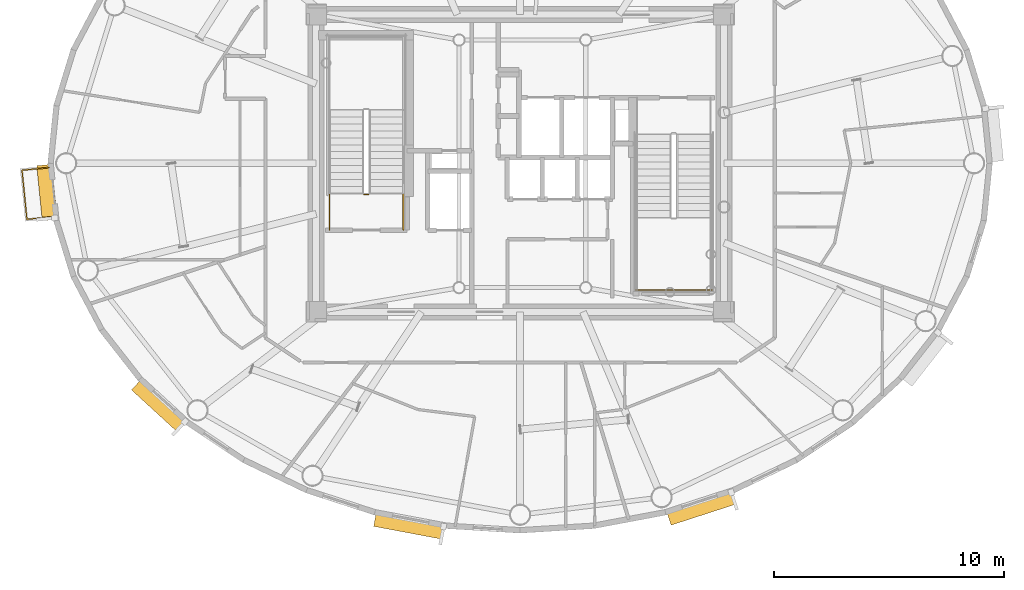
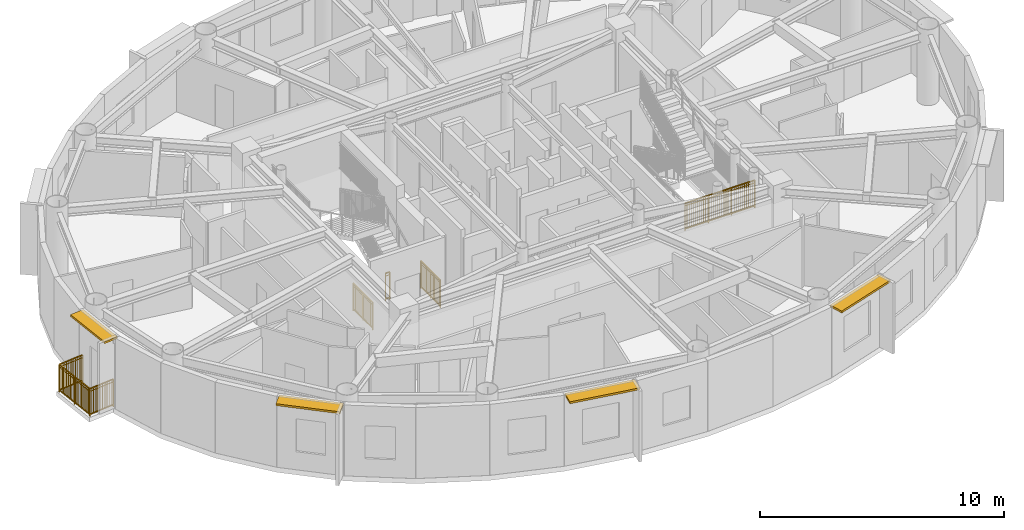
# One storey, part 11 of 17: 5 railings, 4 shading devices.
"""IFC4 building model written with IfcOpenShell, lengths in metres."""

from ifc_helpers import new_model, si_unit, direction, frame, origin, origin_2d, place, context, subcontext, project, spatial, rectangle, extrude, source, transform, mapped, material, layer, layer_set, type_object, element, save


model = new_model("IFC4")

# Units and contexts
model_context = context("Model", 3, precision=1e-05, world=origin(), true_north=direction((0.0, 1.0)))
body_context = subcontext(model_context, "Body", "Model", "MODEL_VIEW")
ifc_project = project(units=[si_unit("LENGTHUNIT", "METRE"), si_unit("AREAUNIT", "SQUARE_METRE"), si_unit("VOLUMEUNIT", "CUBIC_METRE"), si_unit("PLANEANGLEUNIT", "RADIAN"), si_unit("MASSUNIT", "GRAM", prefix="KILO")], contexts=[model_context])

# Site, building, storey
site_placement = place(None, origin())
site = spatial("IfcSite", under=ifc_project, at=site_placement, CompositionType="ELEMENT")
building_placement = place(site_placement, origin())
building = spatial("IfcBuilding", under=site, at=building_placement, Name="Linh Dai School and Residence Tower", CompositionType="ELEMENT")
storey_placement = place(building_placement, frame((0.0, 0.0, 327.800048828125)))
storey = spatial("IfcBuildingStorey", under=building, at=storey_placement, Name="L81", CompositionType="ELEMENT", Elevation=327.800048828125)

# Shading devices
ifc_material_1 = material(Name="Terracotta Ceramic Sunshade", Category="masonry")
ifc_layer = layer(ifc_material_1, 0.10009765625)
ifc_layer_set = layer_set([ifc_layer], Name="Terracotta Ceramic Sunshade")
shading_device_type = type_object("IfcShadingDeviceType", Name="SHD-TC-650", PredefinedType="USERDEFINED", material=ifc_layer_set)
shared_shape_1 = source(origin(), body_context, "Body", "SweptSolid", [
    extrude(rectangle(XDim=2.3994140625, YDim=0.64990234375, at=origin_2d()), origin(), (0.0, 0.0, 1.0), 0.10009765625),
])
shading_device_1_placement = place(storey_placement, frame((15.46630859375, 25.72802734375, 3.429931640625), z_axis=(0.0, 0.0, 1.0), x_axis=(-0.099991763355, 0.994988264886, 0.0)))
element("IfcShadingDevice", 1, at=shading_device_1_placement, inside=storey, type_object=shading_device_type, Name="L81 Terracotta Horizontal Sunshade Band 21", ObjectType="SUNSHADE", PredefinedType="USERDEFINED", context=body_context, shape_type="MappedRepresentation", body=[
    mapped(shared_shape_1, transform((0.0, 0.0, 0.0), x_axis=(1.0, 0.0, 0.0), y_axis=(0.0, 1.0, 0.0), z_axis=(0.0, 0.0, 1.0), scale=1.0)),
])
shared_shape_2 = source(origin(), body_context, "Body", "SweptSolid", [
    extrude(rectangle(XDim=2.7021484375, YDim=0.64990234375, at=origin_2d()), origin(), (0.0, 0.0, 1.0), 0.10009765625),
])
shading_device_2_placement = place(storey_placement, frame((20.3515625, 16.48681640625, 3.429931640625), z_axis=(0.0, 0.0, 1.0), x_axis=(-0.73704750866, 0.675840935412, 0.0)))
element("IfcShadingDevice", 2, at=shading_device_2_placement, inside=storey, type_object=shading_device_type, Name="L81 Terracotta Horizontal Sunshade Band 25", ObjectType="SUNSHADE", PredefinedType="USERDEFINED", context=body_context, shape_type="MappedRepresentation", body=[
    mapped(shared_shape_2, transform((0.0, 0.0, 0.0), x_axis=(1.0, 0.0, 0.0), y_axis=(0.0, 1.0, 0.0), z_axis=(0.0, 0.0, 1.0), scale=1.0)),
])
shared_shape_3 = source(origin(), body_context, "Body", "SweptSolid", [
    extrude(rectangle(XDim=3.040283203125, YDim=0.64990234375, at=origin_2d()), origin(), (0.0, 0.0, 1.0), 0.10009765625),
])
shading_device_3_placement = place(storey_placement, frame((31.199462890625, 11.279296875, 3.429931640625), z_axis=(0.0, 0.0, 1.0), x_axis=(-0.982779051851, 0.184784564405, 0.0)))
element("IfcShadingDevice", 3, at=shading_device_3_placement, inside=storey, type_object=shading_device_type, Name="L81 Terracotta Horizontal Sunshade Band 29", ObjectType="SUNSHADE", PredefinedType="USERDEFINED", context=body_context, shape_type="MappedRepresentation", body=[
    mapped(shared_shape_3, transform((0.0, 0.0, 0.0), x_axis=(1.0, 0.0, 0.0), y_axis=(0.0, 1.0, 0.0), z_axis=(0.0, 0.0, 1.0), scale=1.0)),
])
shared_shape_4 = source(origin(), body_context, "Body", "SweptSolid", [
    extrude(rectangle(XDim=2.98388671875, YDim=0.64990234375, at=origin_2d()), origin(), (0.0, 0.0, 1.0), 0.10009765625),
])
shading_device_4_placement = place(storey_placement, frame((43.8701171875, 12.060302734375, 3.429931640625), z_axis=(0.0, 0.0, 1.0), x_axis=(-0.951203168298, -0.30856528097, 0.0)))
element("IfcShadingDevice", 4, at=shading_device_4_placement, inside=storey, type_object=shading_device_type, Name="L81 Terracotta Horizontal Sunshade Band 33", ObjectType="SUNSHADE", PredefinedType="USERDEFINED", context=body_context, shape_type="MappedRepresentation", body=[
    mapped(shared_shape_4, transform((0.0, 0.0, 0.0), x_axis=(1.0, 0.0, 0.0), y_axis=(0.0, 1.0, 0.0), z_axis=(0.0, 0.0, 1.0), scale=1.0)),
])

# Railings
ifc_material_2 = material(Name="Structural Steel S355JR", Category="steel")
railing_type_1 = type_object("IfcRailingType", Name="RL-BAL-1400", PredefinedType="BALUSTRADE", material=ifc_material_2)
shared_shape_5 = source(origin(), body_context, "Body", "SweptSolid", [
    extrude(rectangle(XDim=0.048095703125, YDim=0.048095703125, at=origin_2d()), frame((0.0, 0.0, 1.3759765625), z_axis=(-0.994996143538, -0.099913334164, 0.0), x_axis=(0.099913334164, -0.994996143538, 0.0)), (0.0, 0.0, 1.0), 1.18017578125),
    extrude(rectangle(XDim=0.048095703125, YDim=0.048095703125, at=origin_2d()), frame((0.0, 0.0, 0.10009765625), z_axis=(-0.994996143538, -0.099913334164, 0.0), x_axis=(0.099913334164, -0.994996143538, 0.0)), (0.0, 0.0, 1.0), 1.18017578125),
    extrude(rectangle(XDim=0.030029296875, YDim=0.030029296875, at=origin_2d()), frame((0.0, 0.0, 1.239990234375), z_axis=(-0.994996143538, -0.099913334164, 0.0), x_axis=(0.099913334164, -0.994996143538, 0.0)), (0.0, 0.0, 1.0), 1.18017578125),
    extrude(rectangle(XDim=0.02001953125, YDim=0.02001953125, at=origin_2d()), frame((-0.09033203125, -0.009033203125, 0.10009765625)), (0.0, 0.0, 1.0), 1.251708984375),
    extrude(rectangle(XDim=0.02001953125, YDim=0.02001953125, at=origin_2d()), frame((-0.1806640625, -0.01806640625, 0.10009765625)), (0.0, 0.0, 1.0), 1.251708984375),
    extrude(rectangle(XDim=0.02001953125, YDim=0.02001953125, at=origin_2d()), frame((-0.27099609375, -0.027099609375, 0.10009765625)), (0.0, 0.0, 1.0), 1.251708984375),
    extrude(rectangle(XDim=0.02001953125, YDim=0.02001953125, at=origin_2d()), frame((-0.361328125, -0.036376953125, 0.10009765625)), (0.0, 0.0, 1.0), 1.251708984375),
    extrude(rectangle(XDim=0.02001953125, YDim=0.02001953125, at=origin_2d()), frame((-0.45166015625, -0.04541015625, 0.10009765625)), (0.0, 0.0, 1.0), 1.251708984375),
    extrude(rectangle(XDim=0.02001953125, YDim=0.02001953125, at=origin_2d()), frame((-0.5419921875, -0.054443359375, 0.10009765625)), (0.0, 0.0, 1.0), 1.251708984375),
    extrude(rectangle(XDim=0.02001953125, YDim=0.02001953125, at=origin_2d()), frame((-0.63232421875, -0.0634765625, 0.10009765625)), (0.0, 0.0, 1.0), 1.251708984375),
    extrude(rectangle(XDim=0.02001953125, YDim=0.02001953125, at=origin_2d()), frame((-0.72265625, -0.072509765625, 0.10009765625)), (0.0, 0.0, 1.0), 1.251708984375),
    extrude(rectangle(XDim=0.02001953125, YDim=0.02001953125, at=origin_2d()), frame((-0.81298828125, -0.08154296875, 0.10009765625)), (0.0, 0.0, 1.0), 1.251708984375),
    extrude(rectangle(XDim=0.02001953125, YDim=0.02001953125, at=origin_2d()), frame((-0.9033203125, -0.0908203125, 0.10009765625)), (0.0, 0.0, 1.0), 1.251708984375),
    extrude(rectangle(XDim=0.02001953125, YDim=0.02001953125, at=origin_2d()), frame((-0.99365234375, -0.099853515625, 0.10009765625)), (0.0, 0.0, 1.0), 1.251708984375),
    extrude(rectangle(XDim=0.02001953125, YDim=0.02001953125, at=origin_2d()), frame((-1.083984375, -0.10888671875, 0.10009765625)), (0.0, 0.0, 1.0), 1.251708984375),
    extrude(rectangle(XDim=0.048095703125, YDim=0.048095703125, at=origin_2d()), frame((-1.17431640625, -0.117919921875, 1.3759765625), z_axis=(-0.099978309742, 0.994989616821, 0.0), x_axis=(-0.994989616821, -0.099978309742, 0.0)), (0.0, 0.0, 1.0), 2.13916015625),
    extrude(rectangle(XDim=0.048095703125, YDim=0.048095703125, at=origin_2d()), frame((-1.17431640625, -0.117919921875, 0.10009765625), z_axis=(-0.099978309742, 0.994989616821, 0.0), x_axis=(-0.994989616821, -0.099978309742, 0.0)), (0.0, 0.0, 1.0), 2.13916015625),
    extrude(rectangle(XDim=0.030029296875, YDim=0.030029296875, at=origin_2d()), frame((-1.17431640625, -0.117919921875, 1.239990234375), z_axis=(-0.099978309742, 0.994989616821, 0.0), x_axis=(-0.994989616821, -0.099978309742, 0.0)), (0.0, 0.0, 1.0), 2.13916015625),
    extrude(rectangle(XDim=0.02001953125, YDim=0.02001953125, at=origin_2d()), frame((-1.18408203125, -0.021240234375, 0.10009765625)), (0.0, 0.0, 1.0), 1.251708984375),
    extrude(rectangle(XDim=0.02001953125, YDim=0.02001953125, at=origin_2d()), frame((-1.19384765625, 0.07568359375, 0.10009765625)), (0.0, 0.0, 1.0), 1.251708984375),
    extrude(rectangle(XDim=0.02001953125, YDim=0.02001953125, at=origin_2d()), frame((-1.203369140625, 0.17236328125, 0.10009765625)), (0.0, 0.0, 1.0), 1.251708984375),
    extrude(rectangle(XDim=0.02001953125, YDim=0.02001953125, at=origin_2d()), frame((-1.213134765625, 0.26904296875, 0.10009765625)), (0.0, 0.0, 1.0), 1.251708984375),
    extrude(rectangle(XDim=0.02001953125, YDim=0.02001953125, at=origin_2d()), frame((-1.222900390625, 0.36572265625, 0.10009765625)), (0.0, 0.0, 1.0), 1.251708984375),
    extrude(rectangle(XDim=0.02001953125, YDim=0.02001953125, at=origin_2d()), frame((-1.232666015625, 0.462646484375, 0.10009765625)), (0.0, 0.0, 1.0), 1.251708984375),
    extrude(rectangle(XDim=0.02001953125, YDim=0.02001953125, at=origin_2d()), frame((-1.242431640625, 0.559326171875, 0.10009765625)), (0.0, 0.0, 1.0), 1.251708984375),
    extrude(rectangle(XDim=0.02001953125, YDim=0.02001953125, at=origin_2d()), frame((-1.252197265625, 0.656005859375, 0.10009765625)), (0.0, 0.0, 1.0), 1.251708984375),
    extrude(rectangle(XDim=0.02001953125, YDim=0.02001953125, at=origin_2d()), frame((-1.26171875, 0.752685546875, 0.10009765625)), (0.0, 0.0, 1.0), 1.251708984375),
    extrude(rectangle(XDim=0.02001953125, YDim=0.02001953125, at=origin_2d()), frame((-1.271484375, 0.849609375, 0.10009765625)), (0.0, 0.0, 1.0), 1.251708984375),
    extrude(rectangle(XDim=0.02001953125, YDim=0.02001953125, at=origin_2d()), frame((-1.291015625, 1.04296875, 0.10009765625)), (0.0, 0.0, 1.0), 1.251708984375),
    extrude(rectangle(XDim=0.02001953125, YDim=0.02001953125, at=origin_2d()), frame((-1.30078125, 1.139892578125, 0.10009765625)), (0.0, 0.0, 1.0), 1.251708984375),
    extrude(rectangle(XDim=0.02001953125, YDim=0.02001953125, at=origin_2d()), frame((-1.310302734375, 1.236572265625, 0.10009765625)), (0.0, 0.0, 1.0), 1.251708984375),
    extrude(rectangle(XDim=0.02001953125, YDim=0.02001953125, at=origin_2d()), frame((-1.320068359375, 1.333251953125, 0.10009765625)), (0.0, 0.0, 1.0), 1.251708984375),
    extrude(rectangle(XDim=0.02001953125, YDim=0.02001953125, at=origin_2d()), frame((-1.329833984375, 1.429931640625, 0.10009765625)), (0.0, 0.0, 1.0), 1.251708984375),
    extrude(rectangle(XDim=0.02001953125, YDim=0.02001953125, at=origin_2d()), frame((-1.339599609375, 1.52685546875, 0.10009765625)), (0.0, 0.0, 1.0), 1.251708984375),
    extrude(rectangle(XDim=0.02001953125, YDim=0.02001953125, at=origin_2d()), frame((-1.349365234375, 1.62353515625, 0.10009765625)), (0.0, 0.0, 1.0), 1.251708984375),
    extrude(rectangle(XDim=0.02001953125, YDim=0.02001953125, at=origin_2d()), frame((-1.359130859375, 1.72021484375, 0.10009765625)), (0.0, 0.0, 1.0), 1.251708984375),
    extrude(rectangle(XDim=0.02001953125, YDim=0.02001953125, at=origin_2d()), frame((-1.36865234375, 1.81689453125, 0.10009765625)), (0.0, 0.0, 1.0), 1.251708984375),
    extrude(rectangle(XDim=0.02001953125, YDim=0.02001953125, at=origin_2d()), frame((-1.37841796875, 1.913818359375, 0.10009765625)), (0.0, 0.0, 1.0), 1.251708984375),
    extrude(rectangle(XDim=0.048095703125, YDim=0.048095703125, at=origin_2d()), frame((-1.38818359375, 2.010498046875, 1.3759765625), z_axis=(0.99497348416, 0.100138732862, 0.0), x_axis=(-0.100138732862, 0.99497348416, 0.0)), (0.0, 0.0, 1.0), 1.179931640625),
    extrude(rectangle(XDim=0.048095703125, YDim=0.048095703125, at=origin_2d()), frame((-1.38818359375, 2.010498046875, 0.10009765625), z_axis=(0.99497348416, 0.100138732862, 0.0), x_axis=(-0.100138732862, 0.99497348416, 0.0)), (0.0, 0.0, 1.0), 1.179931640625),
    extrude(rectangle(XDim=0.030029296875, YDim=0.030029296875, at=origin_2d()), frame((-1.38818359375, 2.010498046875, 1.239990234375), z_axis=(0.99497348416, 0.100138732862, 0.0), x_axis=(-0.100138732862, 0.99497348416, 0.0)), (0.0, 0.0, 1.0), 1.179931640625),
    extrude(rectangle(XDim=0.02001953125, YDim=0.02001953125, at=origin_2d()), frame((-1.2978515625, 2.01953125, 0.10009765625)), (0.0, 0.0, 1.0), 1.251708984375),
    extrude(rectangle(XDim=0.02001953125, YDim=0.02001953125, at=origin_2d()), frame((-1.20751953125, 2.028564453125, 0.10009765625)), (0.0, 0.0, 1.0), 1.251708984375),
    extrude(rectangle(XDim=0.02001953125, YDim=0.02001953125, at=origin_2d()), frame((-1.1171875, 2.037841796875, 0.10009765625)), (0.0, 0.0, 1.0), 1.251708984375),
    extrude(rectangle(XDim=0.02001953125, YDim=0.02001953125, at=origin_2d()), frame((-1.02685546875, 2.046875, 0.10009765625)), (0.0, 0.0, 1.0), 1.251708984375),
    extrude(rectangle(XDim=0.02001953125, YDim=0.02001953125, at=origin_2d()), frame((-0.9365234375, 2.055908203125, 0.10009765625)), (0.0, 0.0, 1.0), 1.251708984375),
    extrude(rectangle(XDim=0.02001953125, YDim=0.02001953125, at=origin_2d()), frame((-0.84619140625, 2.06494140625, 0.10009765625)), (0.0, 0.0, 1.0), 1.251708984375),
    extrude(rectangle(XDim=0.02001953125, YDim=0.02001953125, at=origin_2d()), frame((-0.756103515625, 2.07421875, 0.10009765625)), (0.0, 0.0, 1.0), 1.251708984375),
    extrude(rectangle(XDim=0.02001953125, YDim=0.02001953125, at=origin_2d()), frame((-0.665771484375, 2.083251953125, 0.10009765625)), (0.0, 0.0, 1.0), 1.251708984375),
    extrude(rectangle(XDim=0.02001953125, YDim=0.02001953125, at=origin_2d()), frame((-0.575439453125, 2.09228515625, 0.10009765625)), (0.0, 0.0, 1.0), 1.251708984375),
    extrude(rectangle(XDim=0.02001953125, YDim=0.02001953125, at=origin_2d()), frame((-0.485107421875, 2.101318359375, 0.10009765625)), (0.0, 0.0, 1.0), 1.251708984375),
    extrude(rectangle(XDim=0.02001953125, YDim=0.02001953125, at=origin_2d()), frame((-0.394775390625, 2.110595703125, 0.10009765625)), (0.0, 0.0, 1.0), 1.251708984375),
    extrude(rectangle(XDim=0.02001953125, YDim=0.02001953125, at=origin_2d()), frame((-0.304443359375, 2.11962890625, 0.10009765625)), (0.0, 0.0, 1.0), 1.251708984375),
    extrude(rectangle(XDim=0.0419921875, YDim=0.0419921875, at=origin_2d()), origin(), (0.0, 0.0, 1.0), 1.3759765625),
    extrude(rectangle(XDim=0.0419921875, YDim=0.0419921875, at=origin_2d()), frame((-1.17431640625, -0.117919921875, 0.0)), (0.0, 0.0, 1.0), 1.3759765625),
    extrude(rectangle(XDim=0.0419921875, YDim=0.0419921875, at=origin_2d()), frame((-1.28125, 0.9462890625, 0.0)), (0.0, 0.0, 1.0), 1.3759765625),
    extrude(rectangle(XDim=0.0419921875, YDim=0.0419921875, at=origin_2d()), frame((-1.38818359375, 2.010498046875, 0.0)), (0.0, 0.0, 1.0), 1.3759765625),
    extrude(rectangle(XDim=0.0419921875, YDim=0.0419921875, at=origin_2d()), frame((-0.214111328125, 2.128662109375, 0.0)), (0.0, 0.0, 1.0), 1.3759765625),
])
railing_1_placement = place(storey_placement, frame((15.7724609375, 24.683837890625, 0.0)))
element("IfcRailing", 5, at=railing_1_placement, inside=storey, type_object=railing_type_1, Name="L81 Balcony Safety Balustrade 21", PredefinedType="BALUSTRADE", context=body_context, shape_type="MappedRepresentation", body=[
    mapped(shared_shape_5, transform((0.0, 0.0, 0.0), x_axis=(1.0, 0.0, 0.0), y_axis=(0.0, 1.0, 0.0), z_axis=(0.0, 0.0, 1.0), scale=1.0)),
])
railing_type_2 = type_object("IfcRailingType", Name="RL-ST-GUARD-1400", PredefinedType="GUARDRAIL", material=ifc_material_2)
shared_shape_6 = source(origin(), body_context, "Body", "SweptSolid", [
    extrude(rectangle(XDim=0.048095703125, YDim=0.048095703125, at=origin_2d()), frame((0.0, 0.0, 1.3759765625), z_axis=(-1.0, 0.0, 0.0), x_axis=(0.0, -1.0, 0.0)), (0.0, 0.0, 1.0), 0.199951171875),
    extrude(rectangle(XDim=0.048095703125, YDim=0.048095703125, at=origin_2d()), frame((0.0, 0.0, 0.10009765625), z_axis=(-1.0, 0.0, 0.0), x_axis=(0.0, -1.0, 0.0)), (0.0, 0.0, 1.0), 0.199951171875),
    extrude(rectangle(XDim=0.030029296875, YDim=0.030029296875, at=origin_2d()), frame((0.0, 0.0, 1.239990234375), z_axis=(-1.0, 0.0, 0.0), x_axis=(0.0, -1.0, 0.0)), (0.0, 0.0, 1.0), 0.199951171875),
    extrude(rectangle(XDim=0.0419921875, YDim=0.0419921875, at=origin_2d()), origin(), (0.0, 0.0, 1.0), 1.3759765625),
    extrude(rectangle(XDim=0.0419921875, YDim=0.0419921875, at=origin_2d()), frame((-0.199951171875, 0.0, 0.0)), (0.0, 0.0, 1.0), 1.3759765625),
])
railing_2_placement = place(storey_placement, frame((29.429931640625, 25.64990234375, 0.0)))
element("IfcRailing", 6, at=railing_2_placement, inside=storey, type_object=railing_type_2, Name="L81 ST1 stair guard 7", PredefinedType="GUARDRAIL", context=body_context, shape_type="MappedRepresentation", body=[
    mapped(shared_shape_6, transform((0.0, 0.0, 0.0), x_axis=(1.0, 0.0, 0.0), y_axis=(0.0, 1.0, 0.0), z_axis=(0.0, 0.0, 1.0), scale=1.0)),
])
shared_shape_7 = source(origin(), body_context, "Body", "SweptSolid", [
    extrude(rectangle(XDim=0.048095703125, YDim=0.048095703125, at=origin_2d()), frame((0.0, 0.0, 1.3759765625), z_axis=(0.0, 1.0, 0.0), x_axis=(-1.0, 0.0, 0.0)), (0.0, 0.0, 1.0), 1.599853515625),
    extrude(rectangle(XDim=0.048095703125, YDim=0.048095703125, at=origin_2d()), frame((0.0, 0.0, 0.10009765625), z_axis=(0.0, 1.0, 0.0), x_axis=(-1.0, 0.0, 0.0)), (0.0, 0.0, 1.0), 1.599853515625),
    extrude(rectangle(XDim=0.030029296875, YDim=0.030029296875, at=origin_2d()), frame((0.0, 0.0, 1.239990234375), z_axis=(0.0, 1.0, 0.0), x_axis=(-1.0, 0.0, 0.0)), (0.0, 0.0, 1.0), 1.599853515625),
    extrude(rectangle(XDim=0.02001953125, YDim=0.02001953125, at=origin_2d()), frame((0.0, 0.093994140625, 0.10009765625)), (0.0, 0.0, 1.0), 1.251708984375),
    extrude(rectangle(XDim=0.02001953125, YDim=0.02001953125, at=origin_2d()), frame((0.0, 0.188232421875, 0.10009765625)), (0.0, 0.0, 1.0), 1.251708984375),
    extrude(rectangle(XDim=0.02001953125, YDim=0.02001953125, at=origin_2d()), frame((0.0, 0.2822265625, 0.10009765625)), (0.0, 0.0, 1.0), 1.251708984375),
    extrude(rectangle(XDim=0.02001953125, YDim=0.02001953125, at=origin_2d()), frame((0.0, 0.37646484375, 0.10009765625)), (0.0, 0.0, 1.0), 1.251708984375),
    extrude(rectangle(XDim=0.02001953125, YDim=0.02001953125, at=origin_2d()), frame((0.0, 0.470458984375, 0.10009765625)), (0.0, 0.0, 1.0), 1.251708984375),
    extrude(rectangle(XDim=0.02001953125, YDim=0.02001953125, at=origin_2d()), frame((0.0, 0.564697265625, 0.10009765625)), (0.0, 0.0, 1.0), 1.251708984375),
    extrude(rectangle(XDim=0.02001953125, YDim=0.02001953125, at=origin_2d()), frame((0.0, 0.65869140625, 0.10009765625)), (0.0, 0.0, 1.0), 1.251708984375),
    extrude(rectangle(XDim=0.02001953125, YDim=0.02001953125, at=origin_2d()), frame((0.0, 0.7529296875, 0.10009765625)), (0.0, 0.0, 1.0), 1.251708984375),
    extrude(rectangle(XDim=0.02001953125, YDim=0.02001953125, at=origin_2d()), frame((0.0, 0.846923828125, 0.10009765625)), (0.0, 0.0, 1.0), 1.251708984375),
    extrude(rectangle(XDim=0.02001953125, YDim=0.02001953125, at=origin_2d()), frame((0.0, 0.941162109375, 0.10009765625)), (0.0, 0.0, 1.0), 1.251708984375),
    extrude(rectangle(XDim=0.02001953125, YDim=0.02001953125, at=origin_2d()), frame((0.0, 1.03515625, 0.10009765625)), (0.0, 0.0, 1.0), 1.251708984375),
    extrude(rectangle(XDim=0.02001953125, YDim=0.02001953125, at=origin_2d()), frame((0.0, 1.12939453125, 0.10009765625)), (0.0, 0.0, 1.0), 1.251708984375),
    extrude(rectangle(XDim=0.02001953125, YDim=0.02001953125, at=origin_2d()), frame((0.0, 1.223388671875, 0.10009765625)), (0.0, 0.0, 1.0), 1.251708984375),
    extrude(rectangle(XDim=0.02001953125, YDim=0.02001953125, at=origin_2d()), frame((0.0, 1.317626953125, 0.10009765625)), (0.0, 0.0, 1.0), 1.251708984375),
    extrude(rectangle(XDim=0.02001953125, YDim=0.02001953125, at=origin_2d()), frame((0.0, 1.41162109375, 0.10009765625)), (0.0, 0.0, 1.0), 1.251708984375),
    extrude(rectangle(XDim=0.02001953125, YDim=0.02001953125, at=origin_2d()), frame((0.0, 1.505859375, 0.10009765625)), (0.0, 0.0, 1.0), 1.251708984375),
    extrude(rectangle(XDim=0.0419921875, YDim=0.0419921875, at=origin_2d()), origin(), (0.0, 0.0, 1.0), 1.3759765625),
    extrude(rectangle(XDim=0.0419921875, YDim=0.0419921875, at=origin_2d()), frame((0.0, 0.7998046875, 0.0)), (0.0, 0.0, 1.0), 1.3759765625),
    extrude(rectangle(XDim=0.0419921875, YDim=0.0419921875, at=origin_2d()), frame((0.0, 1.599853515625, 0.0)), (0.0, 0.0, 1.0), 1.3759765625),
])
for number, where, name in (
    (7, (30.929931640625, 24.10009765625, 0.0), "L81 ST1 stair guard 8"),
    (8, (27.72998046875, 24.10009765625, 0.0), "L81 ST1 stair guard 9"),
):
    element("IfcRailing", number, at=place(storey_placement, frame(where)), inside=storey, type_object=railing_type_2, Name=name, PredefinedType="GUARDRAIL", context=body_context, shape_type="MappedRepresentation", body=[
        mapped(shared_shape_7, transform((0.0, 0.0, 0.0), x_axis=(1.0, 0.0, 0.0), y_axis=(0.0, 1.0, 0.0), z_axis=(0.0, 0.0, 1.0), scale=1.0)),
    ])
shared_shape_8 = source(origin(), body_context, "Body", "SweptSolid", [
    extrude(rectangle(XDim=0.048095703125, YDim=0.048095703125, at=origin_2d()), frame((0.0, 0.0, 1.3759765625), z_axis=(1.0, 0.0, 0.0), x_axis=(0.0, 1.0, 0.0)), (0.0, 0.0, 1.0), 3.300048828125),
    extrude(rectangle(XDim=0.048095703125, YDim=0.048095703125, at=origin_2d()), frame((0.0, 0.0, 0.10009765625), z_axis=(1.0, 0.0, 0.0), x_axis=(0.0, 1.0, 0.0)), (0.0, 0.0, 1.0), 3.300048828125),
    extrude(rectangle(XDim=0.030029296875, YDim=0.030029296875, at=origin_2d()), frame((0.0, 0.0, 1.239990234375), z_axis=(1.0, 0.0, 0.0), x_axis=(0.0, 1.0, 0.0)), (0.0, 0.0, 1.0), 3.300048828125),
    extrude(rectangle(XDim=0.02001953125, YDim=0.02001953125, at=origin_2d()), frame((0.09716796875, 0.0, 0.10009765625)), (0.0, 0.0, 1.0), 1.251708984375),
    extrude(rectangle(XDim=0.02001953125, YDim=0.02001953125, at=origin_2d()), frame((0.194091796875, 0.0, 0.10009765625)), (0.0, 0.0, 1.0), 1.251708984375),
    extrude(rectangle(XDim=0.02001953125, YDim=0.02001953125, at=origin_2d()), frame((0.291259765625, 0.0, 0.10009765625)), (0.0, 0.0, 1.0), 1.251708984375),
    extrude(rectangle(XDim=0.02001953125, YDim=0.02001953125, at=origin_2d()), frame((0.38818359375, 0.0, 0.10009765625)), (0.0, 0.0, 1.0), 1.251708984375),
    extrude(rectangle(XDim=0.02001953125, YDim=0.02001953125, at=origin_2d()), frame((0.4853515625, 0.0, 0.10009765625)), (0.0, 0.0, 1.0), 1.251708984375),
    extrude(rectangle(XDim=0.02001953125, YDim=0.02001953125, at=origin_2d()), frame((0.582275390625, 0.0, 0.10009765625)), (0.0, 0.0, 1.0), 1.251708984375),
    extrude(rectangle(XDim=0.02001953125, YDim=0.02001953125, at=origin_2d()), frame((0.679443359375, 0.0, 0.10009765625)), (0.0, 0.0, 1.0), 1.251708984375),
    extrude(rectangle(XDim=0.02001953125, YDim=0.02001953125, at=origin_2d()), frame((0.7763671875, 0.0, 0.10009765625)), (0.0, 0.0, 1.0), 1.251708984375),
    extrude(rectangle(XDim=0.02001953125, YDim=0.02001953125, at=origin_2d()), frame((0.87353515625, 0.0, 0.10009765625)), (0.0, 0.0, 1.0), 1.251708984375),
    extrude(rectangle(XDim=0.02001953125, YDim=0.02001953125, at=origin_2d()), frame((0.970703125, 0.0, 0.10009765625)), (0.0, 0.0, 1.0), 1.251708984375),
    extrude(rectangle(XDim=0.02001953125, YDim=0.02001953125, at=origin_2d()), frame((1.164794921875, 0.0, 0.10009765625)), (0.0, 0.0, 1.0), 1.251708984375),
    extrude(rectangle(XDim=0.02001953125, YDim=0.02001953125, at=origin_2d()), frame((1.26171875, 0.0, 0.10009765625)), (0.0, 0.0, 1.0), 1.251708984375),
    extrude(rectangle(XDim=0.02001953125, YDim=0.02001953125, at=origin_2d()), frame((1.35888671875, 0.0, 0.10009765625)), (0.0, 0.0, 1.0), 1.251708984375),
    extrude(rectangle(XDim=0.02001953125, YDim=0.02001953125, at=origin_2d()), frame((1.455810546875, 0.0, 0.10009765625)), (0.0, 0.0, 1.0), 1.251708984375),
    extrude(rectangle(XDim=0.02001953125, YDim=0.02001953125, at=origin_2d()), frame((1.552978515625, 0.0, 0.10009765625)), (0.0, 0.0, 1.0), 1.251708984375),
    extrude(rectangle(XDim=0.02001953125, YDim=0.02001953125, at=origin_2d()), frame((1.64990234375, 0.0, 0.10009765625)), (0.0, 0.0, 1.0), 1.251708984375),
    extrude(rectangle(XDim=0.02001953125, YDim=0.02001953125, at=origin_2d()), frame((1.7470703125, 0.0, 0.10009765625)), (0.0, 0.0, 1.0), 1.251708984375),
    extrude(rectangle(XDim=0.02001953125, YDim=0.02001953125, at=origin_2d()), frame((1.84423828125, 0.0, 0.10009765625)), (0.0, 0.0, 1.0), 1.251708984375),
    extrude(rectangle(XDim=0.02001953125, YDim=0.02001953125, at=origin_2d()), frame((1.941162109375, 0.0, 0.10009765625)), (0.0, 0.0, 1.0), 1.251708984375),
    extrude(rectangle(XDim=0.02001953125, YDim=0.02001953125, at=origin_2d()), frame((2.038330078125, 0.0, 0.10009765625)), (0.0, 0.0, 1.0), 1.251708984375),
    extrude(rectangle(XDim=0.02001953125, YDim=0.02001953125, at=origin_2d()), frame((2.13525390625, 0.0, 0.10009765625)), (0.0, 0.0, 1.0), 1.251708984375),
    extrude(rectangle(XDim=0.02001953125, YDim=0.02001953125, at=origin_2d()), frame((2.329345703125, 0.0, 0.10009765625)), (0.0, 0.0, 1.0), 1.251708984375),
    extrude(rectangle(XDim=0.02001953125, YDim=0.02001953125, at=origin_2d()), frame((2.426513671875, 0.0, 0.10009765625)), (0.0, 0.0, 1.0), 1.251708984375),
    extrude(rectangle(XDim=0.02001953125, YDim=0.02001953125, at=origin_2d()), frame((2.523681640625, 0.0, 0.10009765625)), (0.0, 0.0, 1.0), 1.251708984375),
    extrude(rectangle(XDim=0.02001953125, YDim=0.02001953125, at=origin_2d()), frame((2.62060546875, 0.0, 0.10009765625)), (0.0, 0.0, 1.0), 1.251708984375),
    extrude(rectangle(XDim=0.02001953125, YDim=0.02001953125, at=origin_2d()), frame((2.7177734375, 0.0, 0.10009765625)), (0.0, 0.0, 1.0), 1.251708984375),
    extrude(rectangle(XDim=0.02001953125, YDim=0.02001953125, at=origin_2d()), frame((2.814697265625, 0.0, 0.10009765625)), (0.0, 0.0, 1.0), 1.251708984375),
    extrude(rectangle(XDim=0.02001953125, YDim=0.02001953125, at=origin_2d()), frame((2.911865234375, 0.0, 0.10009765625)), (0.0, 0.0, 1.0), 1.251708984375),
    extrude(rectangle(XDim=0.02001953125, YDim=0.02001953125, at=origin_2d()), frame((3.0087890625, 0.0, 0.10009765625)), (0.0, 0.0, 1.0), 1.251708984375),
    extrude(rectangle(XDim=0.02001953125, YDim=0.02001953125, at=origin_2d()), frame((3.10595703125, 0.0, 0.10009765625)), (0.0, 0.0, 1.0), 1.251708984375),
    extrude(rectangle(XDim=0.02001953125, YDim=0.02001953125, at=origin_2d()), frame((3.202880859375, 0.0, 0.10009765625)), (0.0, 0.0, 1.0), 1.251708984375),
    extrude(rectangle(XDim=0.0419921875, YDim=0.0419921875, at=origin_2d()), origin(), (0.0, 0.0, 1.0), 1.3759765625),
    extrude(rectangle(XDim=0.0419921875, YDim=0.0419921875, at=origin_2d()), frame((1.10009765625, 0.0, 0.0)), (0.0, 0.0, 1.0), 1.3759765625),
    extrude(rectangle(XDim=0.0419921875, YDim=0.0419921875, at=origin_2d()), frame((2.199951171875, 0.0, 0.0)), (0.0, 0.0, 1.0), 1.3759765625),
    extrude(rectangle(XDim=0.0419921875, YDim=0.0419921875, at=origin_2d()), frame((3.300048828125, 0.0, 0.0)), (0.0, 0.0, 1.0), 1.3759765625),
])
railing_3_placement = place(storey_placement, frame((41.02001953125, 21.5, 1.89990234375)))
element("IfcRailing", 9, at=railing_3_placement, inside=storey, type_object=railing_type_2, Name="L81 ST2 stair guard 5", PredefinedType="GUARDRAIL", context=body_context, shape_type="MappedRepresentation", body=[
    mapped(shared_shape_8, transform((0.0, 0.0, 0.0), x_axis=(1.0, 0.0, 0.0), y_axis=(0.0, 1.0, 0.0), z_axis=(0.0, 0.0, 1.0), scale=1.0)),
])

save(model, "model.ifc")
